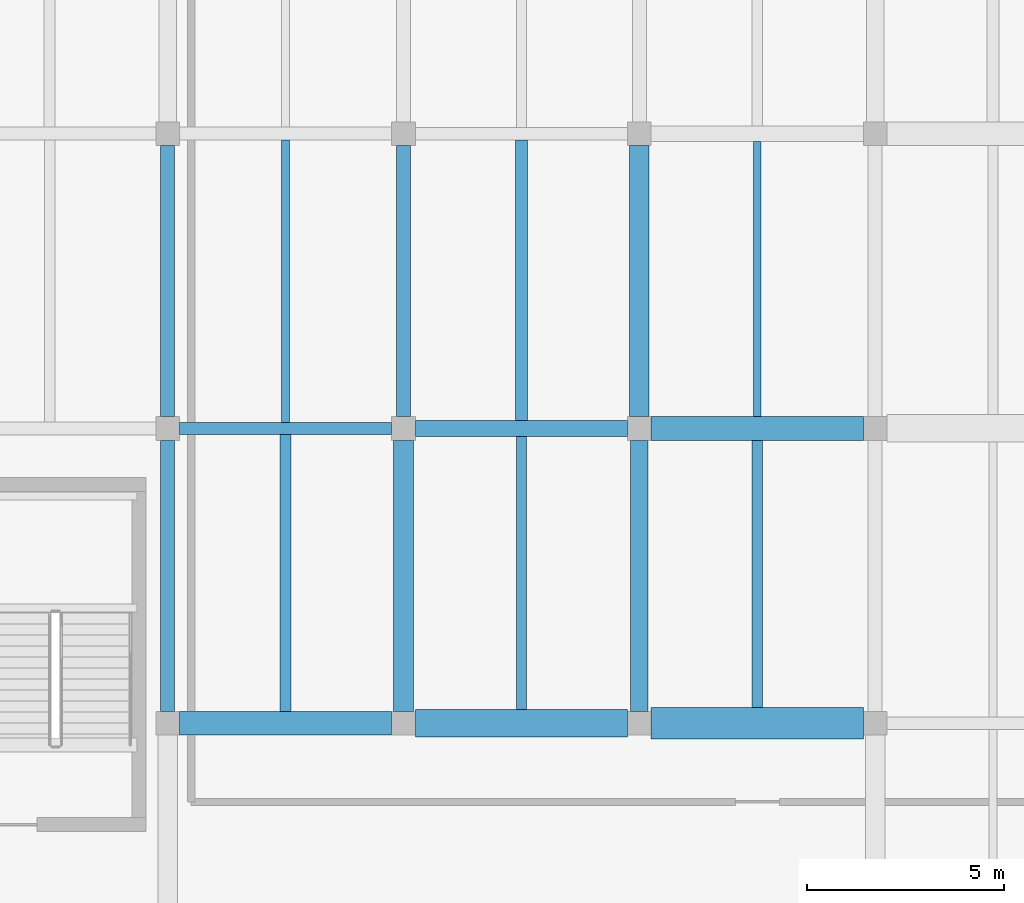
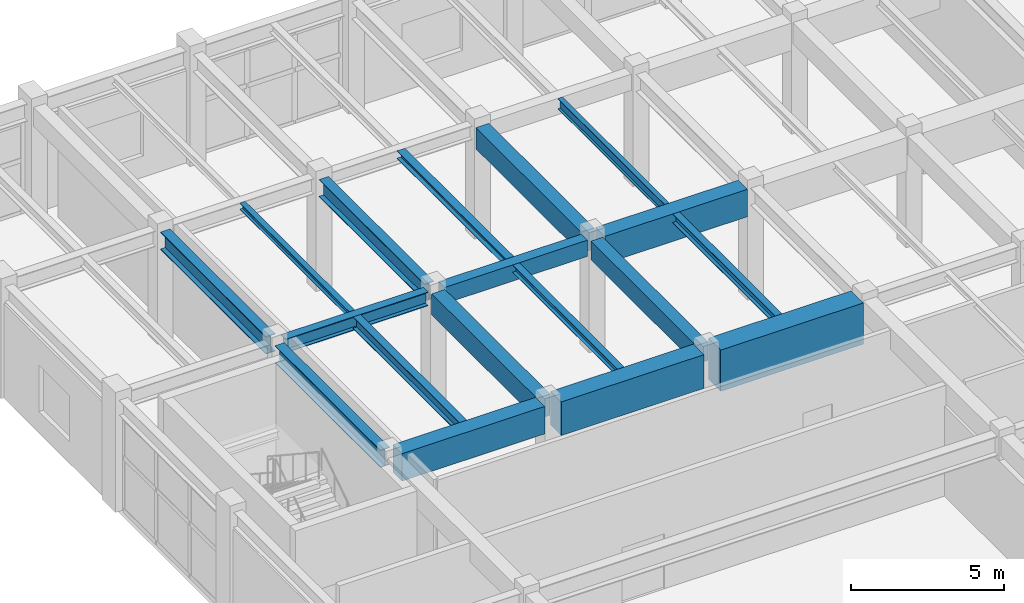
# One storey, part 35 of 85: 18 beams.
"""IFC4 building model written with IfcOpenShell, lengths in metres."""

from ifc_helpers import new_model, si_unit, direction, frame, origin, origin_2d, place, context, subcontext, project, spatial, rectangle, i_section, extrude, material, material_profile, profile_set, type_object, element, save


model = new_model("IFC4")

# Units and contexts
model_context = context("Model", 3, precision=1e-05, world=origin(), true_north=direction((0.0, 1.0)))
body_context = subcontext(model_context, "Body", "Model", "MODEL_VIEW")
ifc_project = project(units=[si_unit("LENGTHUNIT", "METRE"), si_unit("AREAUNIT", "SQUARE_METRE"), si_unit("VOLUMEUNIT", "CUBIC_METRE"), si_unit("PLANEANGLEUNIT", "RADIAN"), si_unit("MASSUNIT", "GRAM", prefix="KILO")], contexts=[model_context])

# Site, building, storey
site_placement = place(None, origin())
site = spatial("IfcSite", under=ifc_project, at=site_placement, CompositionType="ELEMENT")
building_placement = place(site_placement, origin())
building = spatial("IfcBuilding", under=site, at=building_placement, Name="Vaelkrest Opera House", CompositionType="ELEMENT")
storey_placement = place(building_placement, frame((0.0, 0.0, 10.199951171875)))
storey = spatial("IfcBuildingStorey", under=building, at=storey_placement, Name="L02", CompositionType="ELEMENT", Elevation=10.199951171875)

# Beams
ifc_material_1 = material(Name="Concrete C50/60", Category="concrete")
ifc_material_profile_1 = material_profile(ifc_material_1, rectangle(XDim=0.39990234375, YDim=0.64990234375, at=origin_2d()), Name="RCB400X650")
ifc_profile_set_1 = profile_set([ifc_material_profile_1], Name="Concrete C50/60")
beam_type_1 = type_object("IfcBeamType", Name="B01", PredefinedType="BEAM", material=ifc_profile_set_1)
beam_1_placement = place(storey_placement, frame((-63.300048828125, 17.699951171875, 4.1201171875), z_axis=(1.0, 0.0, 0.0), x_axis=(0.0, 1.0, 0.0)))
element("IfcBeam", 1, at=beam_1_placement, inside=storey, type_object=beam_type_1, Name="Beam BM-V3-L02-1645", PredefinedType="BEAM", context=body_context, shape_type="SweptSolid", body=[
    extrude(rectangle(XDim=0.39990234375, YDim=0.64990234375, at=origin_2d()), origin(), (0.0, 0.0, 1.0), 5.400146484375),
])
ifc_material_profile_2 = material_profile(ifc_material_1, rectangle(XDim=0.449951171875, YDim=0.75, at=origin_2d()), Name="RCB450X750")
ifc_profile_set_2 = profile_set([ifc_material_profile_2], Name="Concrete C50/60")
beam_type_2 = type_object("IfcBeamType", Name="B02", PredefinedType="BEAM", material=ifc_profile_set_2)
beam_2_placement = place(storey_placement, frame((-57.60009765625, 10.5, 4.070068359375), z_axis=(0.0, 1.0, 0.0), x_axis=(-1.0, 0.0, 0.0)))
element("IfcBeam", 2, at=beam_2_placement, inside=storey, type_object=beam_type_2, Name="Beam BM-V3-L02-1679", PredefinedType="BEAM", context=body_context, shape_type="SweptSolid", body=[
    extrude(rectangle(XDim=0.449951171875, YDim=0.75, at=origin_2d()), origin(), (0.0, 0.0, 1.0), 6.89990234375),
])
ifc_material_profile_3 = material_profile(ifc_material_1, rectangle(XDim=0.5, YDim=0.85009765625, at=origin_2d()), Name="RCB500X850")
ifc_profile_set_3 = profile_set([ifc_material_profile_3], Name="Concrete C50/60")
beam_type_3 = type_object("IfcBeamType", Name="B03", PredefinedType="BEAM", material=ifc_profile_set_3)
for number, where, z_axis, x_axis, name in (
    (3, (-63.60009765625, 10.5, 4.02001953125), (0.0, 1.0, 0.0), (-1.0, 0.0, 0.0), "Beam BM-V3-L02-1676"),
    (4, (-57.60009765625, 18.0, 4.02001953125), (0.0, 1.0, 0.0), (-1.0, 0.0, 0.0), "Beam BM-V3-L02-1680"),
):
    element("IfcBeam", number, at=place(storey_placement, frame(where, z_axis=z_axis, x_axis=x_axis)), inside=storey, type_object=beam_type_3, Name=name, PredefinedType="BEAM", context=body_context, shape_type="SweptSolid", body=[
        extrude(rectangle(XDim=0.5, YDim=0.85009765625, at=origin_2d()), origin(), (0.0, 0.0, 1.0), 6.89990234375),
    ])
ifc_material_profile_4 = material_profile(ifc_material_1, rectangle(XDim=0.60009765625, YDim=1.10009765625, at=origin_2d()), Name="RCB600X1100")
ifc_profile_set_4 = profile_set([ifc_material_profile_4], Name="Concrete C50/60")
beam_type_4 = type_object("IfcBeamType", Name="B05", PredefinedType="BEAM", material=ifc_profile_set_4)
for number, where, z_axis, x_axis, name in (
    (5, (-69.300048828125, 10.199951171875, 3.955078125), (1.0, 0.0, 0.0), (0.0, 1.0, 0.0), "Beam BM-V3-L02-1638"),
    (6, (-57.300048828125, 17.699951171875, 3.89501953125), (1.0, 0.0, 0.0), (0.0, 1.0, 0.0), "Beam BM-V3-L02-1646"),
):
    element("IfcBeam", number, at=place(storey_placement, frame(where, z_axis=z_axis, x_axis=x_axis)), inside=storey, type_object=beam_type_4, Name=name, PredefinedType="BEAM", context=body_context, shape_type="SweptSolid", body=[
        extrude(rectangle(XDim=0.60009765625, YDim=1.10009765625, at=origin_2d()), origin(), (0.0, 0.0, 1.0), 5.400146484375),
    ])
ifc_material_profile_5 = material_profile(ifc_material_1, rectangle(XDim=0.699951171875, YDim=1.35009765625, at=origin_2d()), Name="RCB700X1350")
ifc_profile_set_5 = profile_set([ifc_material_profile_5], Name="Concrete C50/60")
beam_type_5 = type_object("IfcBeamType", Name="B06", PredefinedType="BEAM", material=ifc_profile_set_5)
beam_3_placement = place(storey_placement, frame((-63.300048828125, 10.199951171875, 3.830078125), z_axis=(1.0, 0.0, 0.0), x_axis=(0.0, 1.0, 0.0)))
element("IfcBeam", 7, at=beam_3_placement, inside=storey, type_object=beam_type_5, Name="Beam BM-V3-L02-1639", PredefinedType="BEAM", context=body_context, shape_type="SweptSolid", body=[
    extrude(rectangle(XDim=0.699951171875, YDim=1.35009765625, at=origin_2d()), origin(), (0.0, 0.0, 1.0), 5.400146484375),
])
ifc_material_profile_6 = material_profile(ifc_material_1, rectangle(XDim=0.800048828125, YDim=1.64990234375, at=origin_2d()), Name="RCB800X1650")
ifc_profile_set_6 = profile_set([ifc_material_profile_6], Name="Concrete C50/60")
beam_type_6 = type_object("IfcBeamType", Name="B07", PredefinedType="BEAM", material=ifc_profile_set_6)
beam_4_placement = place(storey_placement, frame((-57.300048828125, 10.199951171875, 3.679931640625), z_axis=(1.0, 0.0, 0.0), x_axis=(0.0, 1.0, 0.0)))
element("IfcBeam", 8, at=beam_4_placement, inside=storey, type_object=beam_type_6, Name="Beam BM-V3-L02-1640", PredefinedType="BEAM", context=body_context, shape_type="SweptSolid", body=[
    extrude(rectangle(XDim=0.800048828125, YDim=1.64990234375, at=origin_2d()), origin(), (0.0, 0.0, 1.0), 5.400146484375),
])
ifc_material_2 = material(Name="Steel A992 Gr50", Category="steel")
ifc_material_profile_7 = material_profile(ifc_material_2, i_section(OverallWidth=0.35498046875, OverallDepth=0.695068359375, WebThickness=0.015380859375, FlangeThickness=0.02490234375, at=origin_2d()), Name="W27X146")
ifc_profile_set_7 = profile_set([ifc_material_profile_7], Name="Steel A992 Gr50")
beam_type_7 = type_object("IfcBeamType", Name="B10", PredefinedType="BEAM", material=ifc_profile_set_7)
for number, where, z_axis, x_axis, name in (
    (9, (-69.60009765625, 10.5, 4.09765625), (0.0, 1.0, 0.0), (-1.0, 0.0, 0.0), "Beam BM-V3-L02-1673"),
    (10, (-63.60009765625, 18.0, 4.09765625), (0.0, 1.0, 0.0), (-1.0, 0.0, 0.0), "Beam BM-V3-L02-1677"),
):
    element("IfcBeam", number, at=place(storey_placement, frame(where, z_axis=z_axis, x_axis=x_axis)), inside=storey, type_object=beam_type_7, Name=name, PredefinedType="BEAM", context=body_context, shape_type="SweptSolid", body=[
        extrude(i_section(OverallWidth=0.35498046875, OverallDepth=0.695068359375, WebThickness=0.015380859375, FlangeThickness=0.02490234375, at=origin_2d()), origin(), (0.0, 0.0, 1.0), 6.89990234375),
    ])
ifc_material_profile_8 = material_profile(ifc_material_2, i_section(OverallWidth=0.35791015625, OverallDepth=0.7060546875, WebThickness=0.018310546875, FlangeThickness=0.0302734375, at=origin_2d()), Name="W27X178")
ifc_profile_set_8 = profile_set([ifc_material_profile_8], Name="Steel A992 Gr50")
beam_type_8 = type_object("IfcBeamType", Name="B14", PredefinedType="BEAM", material=ifc_profile_set_8)
beam_5_placement = place(storey_placement, frame((-69.60009765625, 18.0, 4.092041015625), z_axis=(0.0, 1.0, 0.0), x_axis=(-1.0, 0.0, 0.0)))
element("IfcBeam", 11, at=beam_5_placement, inside=storey, type_object=beam_type_8, Name="Beam BM-V3-L02-1674", PredefinedType="BEAM", context=body_context, shape_type="SweptSolid", body=[
    extrude(i_section(OverallWidth=0.35791015625, OverallDepth=0.7060546875, WebThickness=0.018310546875, FlangeThickness=0.0302734375, at=origin_2d()), origin(), (0.0, 0.0, 1.0), 6.89990234375),
])
ifc_material_profile_9 = material_profile(ifc_material_2, i_section(OverallWidth=0.31494140625, OverallDepth=0.551025390625, WebThickness=0.01513671875, FlangeThickness=0.0244140625, at=origin_2d()), Name="W21X122")
ifc_profile_set_9 = profile_set([ifc_material_profile_9], Name="Steel A992 Gr50")
beam_type_9 = type_object("IfcBeamType", Name="B20", PredefinedType="BEAM", material=ifc_profile_set_9)
beam_6_placement = place(storey_placement, frame((-69.300048828125, 17.699951171875, 4.16943359375), z_axis=(1.0, 0.0, 0.0), x_axis=(0.0, 1.0, 0.0)))
element("IfcBeam", 12, at=beam_6_placement, inside=storey, type_object=beam_type_9, Name="Beam BM-V3-L02-1644", PredefinedType="BEAM", context=body_context, shape_type="SweptSolid", body=[
    extrude(i_section(OverallWidth=0.31494140625, OverallDepth=0.551025390625, WebThickness=0.01513671875, FlangeThickness=0.0244140625, at=origin_2d()), origin(), (0.0, 0.0, 1.0), 5.400146484375),
])
ifc_material_profile_10 = material_profile(ifc_material_2, i_section(OverallWidth=0.2041015625, OverallDepth=0.257080078125, WebThickness=0.0087890625, FlangeThickness=0.015625, at=origin_2d()), Name="W10X45")
ifc_profile_set_10 = profile_set([ifc_material_profile_10], Name="Steel A992 Gr50")
beam_type_10 = type_object("IfcBeamType", Name="J01", PredefinedType="JOIST", material=ifc_profile_set_10)
beam_7_placement = place(storey_placement, frame((-66.60009765625, 17.857421875, 4.316650390625), z_axis=(0.0, 1.0, 0.0), x_axis=(-1.0, 0.0, 0.0)))
element("IfcBeam", 13, at=beam_7_placement, inside=storey, type_object=beam_type_10, Name="Floor joist JST-V3-L02-1711", PredefinedType="JOIST", context=body_context, shape_type="SweptSolid", body=[
    extrude(i_section(OverallWidth=0.2041015625, OverallDepth=0.257080078125, WebThickness=0.0087890625, FlangeThickness=0.015625, at=origin_2d()), origin(), (0.0, 0.0, 1.0), 7.17919921875),
])
ifc_material_profile_11 = material_profile(ifc_material_2, i_section(OverallWidth=0.25390625, OverallDepth=0.305908203125, WebThickness=0.0087890625, FlangeThickness=0.0146484375, at=origin_2d()), Name="W12X53")
ifc_profile_set_11 = profile_set([ifc_material_profile_11], Name="Steel A992 Gr50")
beam_type_11 = type_object("IfcBeamType", Name="J03", PredefinedType="JOIST", material=ifc_profile_set_11)
beam_8_placement = place(storey_placement, frame((-60.60009765625, 10.550048828125, 4.2919921875), z_axis=(0.0, 1.0, 0.0), x_axis=(-1.0, 0.0, 0.0)))
element("IfcBeam", 14, at=beam_8_placement, inside=storey, type_object=beam_type_11, Name="Floor joist JST-V3-L02-1713", PredefinedType="JOIST", context=body_context, shape_type="SweptSolid", body=[
    extrude(i_section(OverallWidth=0.25390625, OverallDepth=0.305908203125, WebThickness=0.0087890625, FlangeThickness=0.0146484375, at=origin_2d()), origin(), (0.0, 0.0, 1.0), 6.949951171875),
])
ifc_material_profile_12 = material_profile(ifc_material_2, i_section(OverallWidth=0.304931640625, OverallDepth=0.30810546875, WebThickness=0.010009765625, FlangeThickness=0.015380859375, at=origin_2d()), Name="W12X65")
ifc_profile_set_12 = profile_set([ifc_material_profile_12], Name="Steel A992 Gr50")
beam_type_12 = type_object("IfcBeamType", Name="J04", PredefinedType="JOIST", material=ifc_profile_set_12)
beam_9_placement = place(storey_placement, frame((-60.60009765625, 17.89990234375, 4.291015625), z_axis=(0.0, 1.0, 0.0), x_axis=(-1.0, 0.0, 0.0)))
element("IfcBeam", 15, at=beam_9_placement, inside=storey, type_object=beam_type_12, Name="Floor joist JST-V3-L02-1714", PredefinedType="JOIST", context=body_context, shape_type="SweptSolid", body=[
    extrude(i_section(OverallWidth=0.304931640625, OverallDepth=0.30810546875, WebThickness=0.010009765625, FlangeThickness=0.015380859375, at=origin_2d()), origin(), (0.0, 0.0, 1.0), 7.142578125),
])
ifc_material_profile_13 = material_profile(ifc_material_2, i_section(OverallWidth=0.257080078125, OverallDepth=0.363037109375, WebThickness=0.012939453125, FlangeThickness=0.021728515625, at=origin_2d()), Name="W14X82")
ifc_profile_set_13 = profile_set([ifc_material_profile_13], Name="Steel A992 Gr50")
beam_type_13 = type_object("IfcBeamType", Name="J06", PredefinedType="JOIST", material=ifc_profile_set_13)
beam_10_placement = place(storey_placement, frame((-54.60009765625, 10.60009765625, 4.263427734375), z_axis=(0.0, 1.0, 0.0), x_axis=(-1.0, 0.0, 0.0)))
element("IfcBeam", 16, at=beam_10_placement, inside=storey, type_object=beam_type_13, Name="Floor joist JST-V3-L02-1716", PredefinedType="JOIST", context=body_context, shape_type="SweptSolid", body=[
    extrude(i_section(OverallWidth=0.257080078125, OverallDepth=0.363037109375, WebThickness=0.012939453125, FlangeThickness=0.021728515625, at=origin_2d()), origin(), (0.0, 0.0, 1.0), 6.7998046875),
])
ifc_material_profile_14 = material_profile(ifc_material_2, i_section(OverallWidth=0.180908203125, OverallDepth=0.4169921875, WebThickness=0.010986328125, FlangeThickness=0.018310546875, at=origin_2d()), Name="W16X57")
ifc_profile_set_14 = profile_set([ifc_material_profile_14], Name="Steel A992 Gr50")
beam_type_14 = type_object("IfcBeamType", Name="J07", PredefinedType="JOIST", material=ifc_profile_set_14)
beam_11_placement = place(storey_placement, frame((-54.60009765625, 18.0, 4.236572265625), z_axis=(0.0, 1.0, 0.0), x_axis=(-1.0, 0.0, 0.0)))
element("IfcBeam", 17, at=beam_11_placement, inside=storey, type_object=beam_type_14, Name="Floor joist JST-V3-L02-1717", PredefinedType="JOIST", context=body_context, shape_type="SweptSolid", body=[
    extrude(i_section(OverallWidth=0.180908203125, OverallDepth=0.4169921875, WebThickness=0.010986328125, FlangeThickness=0.018310546875, at=origin_2d()), origin(), (0.0, 0.0, 1.0), 7.0),
])
ifc_material_profile_15 = material_profile(ifc_material_2, i_section(OverallWidth=0.282958984375, OverallDepth=0.471923828125, WebThickness=0.013671875, FlangeThickness=0.022216796875, at=origin_2d()), Name="W18X97")
ifc_profile_set_15 = profile_set([ifc_material_profile_15], Name="Steel A992 Gr50")
beam_type_15 = type_object("IfcBeamType", Name="J10", PredefinedType="JOIST", material=ifc_profile_set_15)
beam_12_placement = place(storey_placement, frame((-66.60009765625, 10.5, 4.208984375), z_axis=(0.0, 1.0, 0.0), x_axis=(-1.0, 0.0, 0.0)))
element("IfcBeam", 18, at=beam_12_placement, inside=storey, type_object=beam_type_15, Name="Floor joist JST-V3-L02-1710", PredefinedType="JOIST", context=body_context, shape_type="SweptSolid", body=[
    extrude(i_section(OverallWidth=0.282958984375, OverallDepth=0.471923828125, WebThickness=0.013671875, FlangeThickness=0.022216796875, at=origin_2d()), origin(), (0.0, 0.0, 1.0), 7.04248046875),
])

save(model, "model.ifc")
